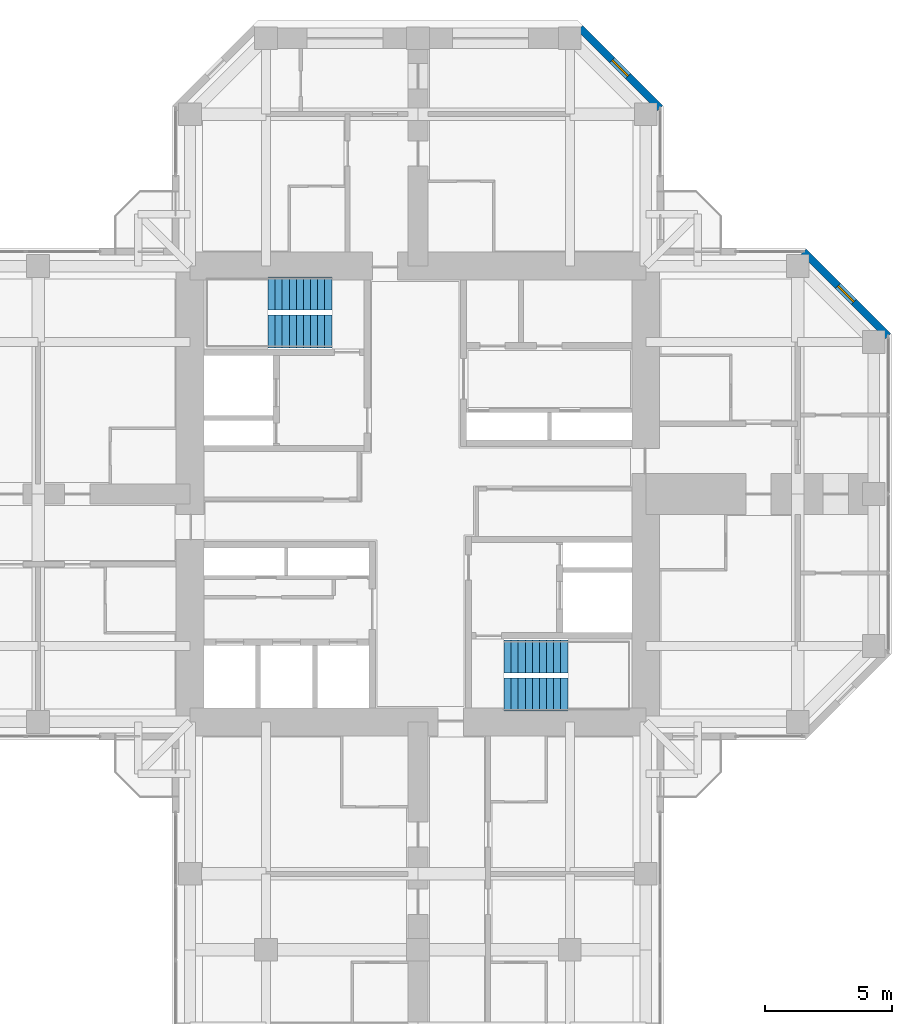
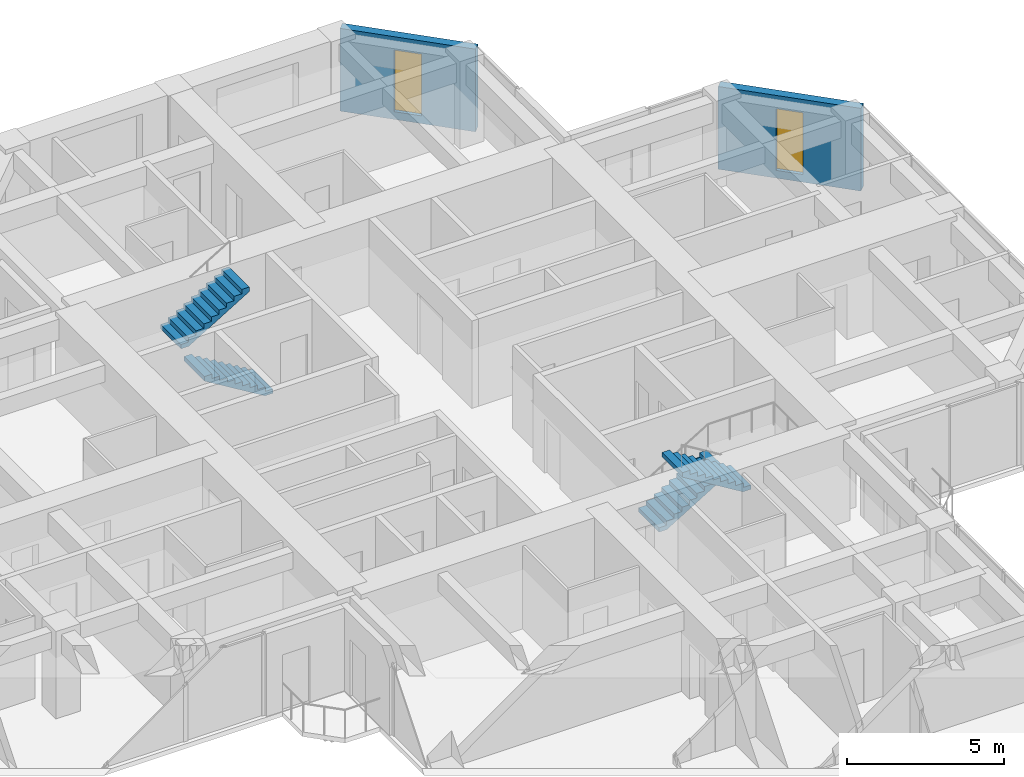
# One storey, part 13 of 14: 4 stair flights, 2 walls, 2 windows, 2 openings, 2 elements without a shape of their own.
"""IFC4 building model written with IfcOpenShell, lengths in metres."""

from ifc_helpers import new_model, si_unit, direction, frame, frame_2d, origin, place, context, subcontext, project, spatial, polyline, rectangle, hollow_rectangle, outline, extrude, material, layer, layer_set, constituent, constituent_set, type_object, element, fill, aggregate, save


model = new_model("IFC4")

# Units and contexts
model_context = context("Model", 3, precision=1e-05, world=origin(), true_north=direction((0.0, 1.0)))
body_context = subcontext(model_context, "Body", "Model", "MODEL_VIEW")
ifc_project = project(units=[si_unit("LENGTHUNIT", "METRE"), si_unit("AREAUNIT", "SQUARE_METRE"), si_unit("VOLUMEUNIT", "CUBIC_METRE"), si_unit("PLANEANGLEUNIT", "RADIAN"), si_unit("MASSUNIT", "GRAM", prefix="KILO")], contexts=[model_context])

# Site, building, storey
site_placement = place(None, origin())
site = spatial("IfcSite", under=ifc_project, at=site_placement, CompositionType="ELEMENT")
building_placement = place(site_placement, origin())
building = spatial("IfcBuilding", under=site, at=building_placement, Name="Torre Cruceta", CompositionType="ELEMENT")
storey_placement = place(building_placement, frame((0.0, 0.0, 172.89990234375)))
storey = spatial("IfcBuildingStorey", under=building, at=storey_placement, Name="L42", CompositionType="ELEMENT", Elevation=172.89990234375)

# Wall, opening, window
ifc_material_1 = material(Name="Concrete G30 (fck 30 MPa)", Category="concrete")
ifc_layer = layer(ifc_material_1, 0.300048828125)
ifc_layer_set = layer_set([ifc_layer], Name="Concrete G30 (fck 30 MPa)")
wall_type = type_object("IfcWallType", Name="EXPOSED CONCRETE FACADE WALL 300", PredefinedType="SOLIDWALL", material=ifc_layer_set)
wall_1_placement = place(storey_placement, frame((18.570068359375, 6.236083984375, 0.0), z_axis=(0.0, 0.0, 1.0), x_axis=(-0.707106781187, 0.707106781187, 0.0)))
wall_1 = element("IfcWall", 1, at=wall_1_placement, inside=storey, type_object=wall_type, Name="EW1 facade wall L42 E chamfer 03", PredefinedType="SOLIDWALL", context=body_context, shape_type="SweptSolid", body=[
    extrude(rectangle(XDim=4.715087890625, YDim=0.300048828125, at=frame_2d((2.357421875, 0.0))), origin(), (0.0, 0.0, 1.0), 3.22021484375),
])
opening_1_placement = place(wall_1_placement, frame((1.907470703125, 0.0, 0.300048828125)))
opening_1 = element("IfcOpeningElement", 2, at=opening_1_placement, cuts=wall_1, Name="Opening WN5", PredefinedType="OPENING", context=body_context, shape_type="SweptSolid", body=[
    extrude(rectangle(XDim=0.89990234375, YDim=2.39990234375, at=frame_2d((0.449951171875, 1.199951171875))), frame((0.0, 0.159912109375, 0.0), z_axis=(0.0, -1.0, 0.0), x_axis=(1.0, 0.0, 0.0)), (0.0, 0.0, 1.0), 0.320068359375),
])
ifc_material_2 = material(Name="Aluminium window frame", Category="aluminium")
ifc_constituent_1 = constituent(ifc_material_2, Name="Frame")
ifc_material_3 = material(Name="Laminated insulating glass unit, low-iron clear", Category="glass")
ifc_constituent_2 = constituent(ifc_material_3, Name="Glazing")
ifc_constituent_set = constituent_set(constituents=[ifc_constituent_1, ifc_constituent_2], Name="Aluminium window")
window_type = type_object("IfcWindowType", Name="CHAMFER SLOT WINDOW 900X2400", PartitioningType="SINGLE_PANEL", PredefinedType="WINDOW", material=ifc_constituent_set)
window_1_placement = place(opening_1_placement, origin())
window_1 = element("IfcWindow", 3, at=window_1_placement, inside=storey, type_object=window_type, Name="WN5 L42 E 1", OverallHeight=2.39990234375, OverallWidth=0.89990234375, PartitioningType="SINGLE_PANEL", PredefinedType="WINDOW", context=body_context, shape_type="SweptSolid", body=[
    extrude(hollow_rectangle(XDim=0.89990234375, YDim=2.39990234375, WallThickness=0.06005859375, at=frame_2d((0.449951171875, 1.199951171875))), frame((0.0, 0.030029296875, 0.0), z_axis=(0.0, -1.0, 0.0), x_axis=(1.0, 0.0, 0.0)), (0.0, 0.0, 1.0), 0.06005859375),
    extrude(rectangle(XDim=0.77880859375, YDim=2.27880859375, at=frame_2d((0.449951171875, 1.199951171875))), frame((0.0, 0.030029296875, 0.0), z_axis=(0.0, -1.0, 0.0), x_axis=(1.0, 0.0, 0.0)), (0.0, 0.0, 1.0), 0.06005859375),
])
fill(opening_1, window_1)

wall_2_placement = place(storey_placement, frame((9.570068359375, 15.236083984375, 0.0), z_axis=(0.0, 0.0, 1.0), x_axis=(-0.707134062067, 0.707079499254, 0.0)))
wall_2 = element("IfcWall", 4, at=wall_2_placement, inside=storey, type_object=wall_type, Name="EW1 facade wall L42 N chamfer 06", PredefinedType="SOLIDWALL", context=body_context, shape_type="SweptSolid", body=[
    extrude(rectangle(XDim=4.474609375, YDim=0.300048828125, at=frame_2d((2.2373046875, 0.0))), origin(), (0.0, 0.0, 1.0), 3.22021484375),
])
opening_2_placement = place(wall_2_placement, frame((1.787109375, 0.0, 0.300048828125)))
opening_2 = element("IfcOpeningElement", 5, at=opening_2_placement, cuts=wall_2, Name="Opening WN5", PredefinedType="OPENING", context=body_context, shape_type="SweptSolid", body=[
    extrude(rectangle(XDim=0.89990234375, YDim=2.39990234375, at=frame_2d((0.449951171875, 1.199951171875))), frame((0.0, 0.159912109375, 0.0), z_axis=(0.0, -1.0, 0.0), x_axis=(1.0, 0.0, 0.0)), (0.0, 0.0, 1.0), 0.320068359375),
])
window_2_placement = place(opening_2_placement, origin())
window_2 = element("IfcWindow", 6, at=window_2_placement, inside=storey, type_object=window_type, Name="WN5 L42 N 1", OverallHeight=2.39990234375, OverallWidth=0.89990234375, PartitioningType="SINGLE_PANEL", PredefinedType="WINDOW", context=body_context, shape_type="SweptSolid", body=[
    extrude(hollow_rectangle(XDim=0.89990234375, YDim=2.39990234375, WallThickness=0.06005859375, at=frame_2d((0.449951171875, 1.199951171875))), frame((0.0, 0.030029296875, 0.0), z_axis=(0.0, -1.0, 0.0), x_axis=(1.0, 0.0, 0.0)), (0.0, 0.0, 1.0), 0.06005859375),
    extrude(rectangle(XDim=0.77880859375, YDim=2.27880859375, at=frame_2d((0.449951171875, 1.199951171875))), frame((0.0, 0.030029296875, 0.0), z_axis=(0.0, -1.0, 0.0), x_axis=(1.0, 0.0, 0.0)), (0.0, 0.0, 1.0), 0.06005859375),
])
fill(opening_2, window_2)

# Stair, stair flights
ifc_material_4 = material(Name="Concrete G30 (fck 30 MPa)", Category="concrete")
stair_type = type_object("IfcStairType", Name="STAIR HALF-TURN 1300", PredefinedType="HALF_TURN_STAIR", material=ifc_material_4)
stair_1_placement = place(storey_placement, origin())
stair_1 = element("IfcStair", 7, at=stair_1_placement, inside=storey, type_object=stair_type, Name="Stair ST1 L42", PredefinedType="HALF_TURN_STAIR")
ifc_material_5 = material(Name="Concrete G30 (fck 30 MPa)", Category="concrete")
stair_flight_type = type_object("IfcStairFlightType", Name="STAIR FLIGHT 1300", PredefinedType="STRAIGHT", material=ifc_material_5)
stair_flight_1_placement = place(storey_placement, frame((-3.39990234375, 6.425048828125, 0.0), z_axis=(0.0, 0.0, 1.0), x_axis=(-1.0, 0.0, 0.0)))
stair_flight_1 = element("IfcStairFlight", 8, at=stair_flight_1_placement, type_object=stair_flight_type, Name="ST1 flight 1", NumberOfRisers=10, NumberOfTreads=9, PredefinedType="STRAIGHT", RiserHeight=0.17, TreadLength=0.28, context=body_context, shape_type="SweptSolid", body=[
    extrude(outline(polyline([(0.0, 0.0), (0.0, 0.169921875), (0.280029296875, 0.169921875), (0.280029296875, 0.340087890625), (0.56005859375, 0.340087890625), (0.56005859375, 0.510009765625), (0.840087890625, 0.510009765625), (0.840087890625, 0.679931640625), (1.1201171875, 0.679931640625), (1.1201171875, 0.85009765625), (1.39990234375, 0.85009765625), (1.39990234375, 1.02001953125), (1.679931640625, 1.02001953125), (1.679931640625, 1.18994140625), (1.9599609375, 1.18994140625), (1.9599609375, 1.360107421875), (2.239990234375, 1.360107421875), (2.239990234375, 1.530029296875), (2.52001953125, 1.530029296875), (2.52001953125, 1.699951171875), (2.52001953125, 1.354736328125), (0.288818359375, 0.0), (0.0, 0.0)])), frame((0.0, 0.64990234375, 0.0), z_axis=(0.0, -1.0, 0.0), x_axis=(1.0, 0.0, 0.0)), (0.0, 0.0, 1.0), 1.300048828125),
])
stair_flight_2_placement = place(storey_placement, frame((-5.919921875, 7.925048828125, 1.7001953125), z_axis=(0.0, 0.0, 1.0), x_axis=(1.0, 0.0, 0.0)))
stair_flight_2 = element("IfcStairFlight", 9, at=stair_flight_2_placement, type_object=stair_flight_type, Name="ST1 flight 2", NumberOfRisers=10, NumberOfTreads=9, PredefinedType="STRAIGHT", RiserHeight=0.17, TreadLength=0.28, context=body_context, shape_type="SweptSolid", body=[
    extrude(outline(polyline([(0.0, 0.0), (0.0, 0.169921875), (0.280029296875, 0.169921875), (0.280029296875, 0.340087890625), (0.56005859375, 0.340087890625), (0.56005859375, 0.510009765625), (0.840087890625, 0.510009765625), (0.840087890625, 0.679931640625), (1.1201171875, 0.679931640625), (1.1201171875, 0.85009765625), (1.39990234375, 0.85009765625), (1.39990234375, 1.02001953125), (1.679931640625, 1.02001953125), (1.679931640625, 1.18994140625), (1.9599609375, 1.18994140625), (1.9599609375, 1.360107421875), (2.239990234375, 1.360107421875), (2.239990234375, 1.530029296875), (2.52001953125, 1.530029296875), (2.52001953125, 1.699951171875), (2.52001953125, 1.354736328125), (0.288818359375, 0.0), (0.0, 0.0)])), frame((0.0, 0.64990234375, 0.0), z_axis=(0.0, -1.0, 0.0), x_axis=(1.0, 0.0, 0.0)), (0.0, 0.0, 1.0), 1.300048828125),
])
aggregate(stair_1, [stair_flight_1, stair_flight_2])

stair_2_placement = place(storey_placement, origin())
stair_2 = element("IfcStair", 10, at=stair_2_placement, inside=storey, type_object=stair_type, Name="Stair ST2 L42", PredefinedType="HALF_TURN_STAIR")
stair_flight_3_placement = place(storey_placement, frame((3.39990234375, -6.425048828125, 0.0), z_axis=(0.0, 0.0, 1.0), x_axis=(1.0, 0.0, 0.0)))
stair_flight_3 = element("IfcStairFlight", 11, at=stair_flight_3_placement, type_object=stair_flight_type, Name="ST2 flight 1", NumberOfRisers=10, NumberOfTreads=9, PredefinedType="STRAIGHT", RiserHeight=0.17, TreadLength=0.28, context=body_context, shape_type="SweptSolid", body=[
    extrude(outline(polyline([(0.0, 0.0), (0.0, 0.169921875), (0.280029296875, 0.169921875), (0.280029296875, 0.340087890625), (0.56005859375, 0.340087890625), (0.56005859375, 0.510009765625), (0.840087890625, 0.510009765625), (0.840087890625, 0.679931640625), (1.1201171875, 0.679931640625), (1.1201171875, 0.85009765625), (1.39990234375, 0.85009765625), (1.39990234375, 1.02001953125), (1.679931640625, 1.02001953125), (1.679931640625, 1.18994140625), (1.9599609375, 1.18994140625), (1.9599609375, 1.360107421875), (2.239990234375, 1.360107421875), (2.239990234375, 1.530029296875), (2.52001953125, 1.530029296875), (2.52001953125, 1.699951171875), (2.52001953125, 1.354736328125), (0.288818359375, 0.0), (0.0, 0.0)])), frame((0.0, 0.64990234375, 0.0), z_axis=(0.0, -1.0, 0.0), x_axis=(1.0, 0.0, 0.0)), (0.0, 0.0, 1.0), 1.300048828125),
])
stair_flight_4_placement = place(storey_placement, frame((5.919921875, -7.925048828125, 1.7001953125), z_axis=(0.0, 0.0, 1.0), x_axis=(-1.0, 0.0, 0.0)))
stair_flight_4 = element("IfcStairFlight", 12, at=stair_flight_4_placement, type_object=stair_flight_type, Name="ST2 flight 2", NumberOfRisers=10, NumberOfTreads=9, PredefinedType="STRAIGHT", RiserHeight=0.17, TreadLength=0.28, context=body_context, shape_type="SweptSolid", body=[
    extrude(outline(polyline([(0.0, 0.0), (0.0, 0.169921875), (0.280029296875, 0.169921875), (0.280029296875, 0.340087890625), (0.56005859375, 0.340087890625), (0.56005859375, 0.510009765625), (0.840087890625, 0.510009765625), (0.840087890625, 0.679931640625), (1.1201171875, 0.679931640625), (1.1201171875, 0.85009765625), (1.39990234375, 0.85009765625), (1.39990234375, 1.02001953125), (1.679931640625, 1.02001953125), (1.679931640625, 1.18994140625), (1.9599609375, 1.18994140625), (1.9599609375, 1.360107421875), (2.239990234375, 1.360107421875), (2.239990234375, 1.530029296875), (2.52001953125, 1.530029296875), (2.52001953125, 1.699951171875), (2.52001953125, 1.354736328125), (0.288818359375, 0.0), (0.0, 0.0)])), frame((0.0, 0.64990234375, 0.0), z_axis=(0.0, -1.0, 0.0), x_axis=(1.0, 0.0, 0.0)), (0.0, 0.0, 1.0), 1.300048828125),
])
aggregate(stair_2, [stair_flight_3, stair_flight_4])

save(model, "model.ifc")
